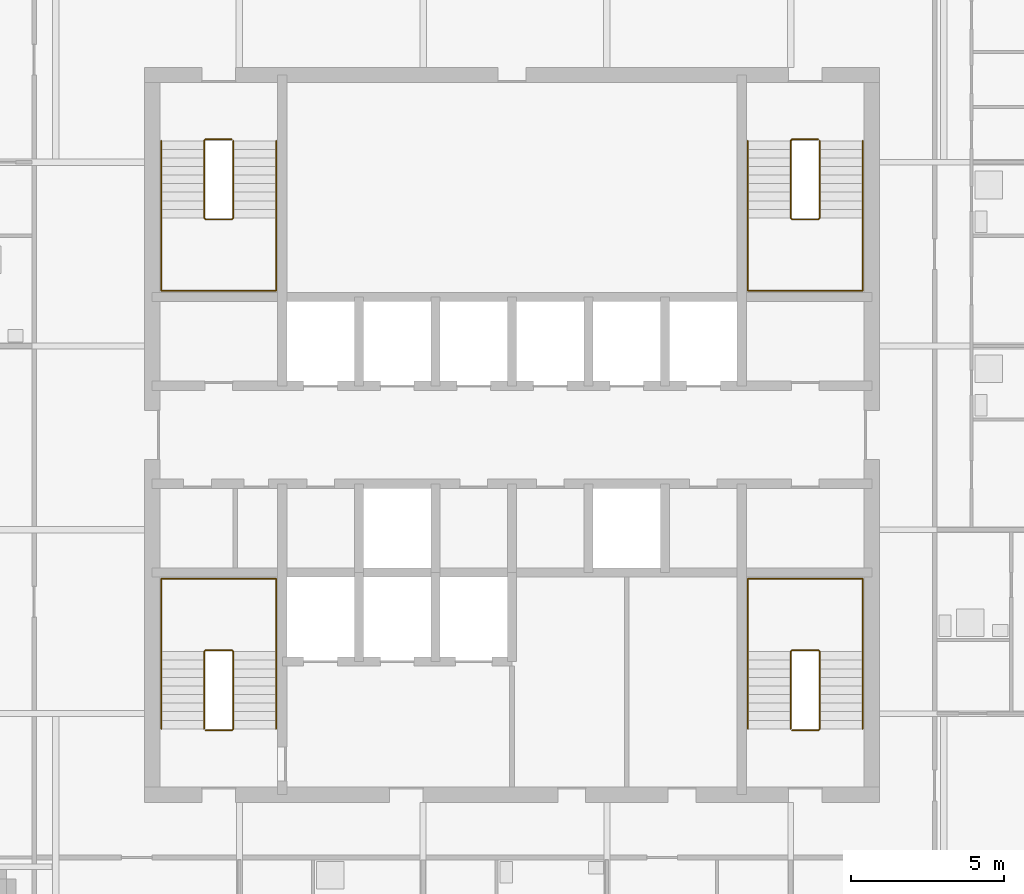
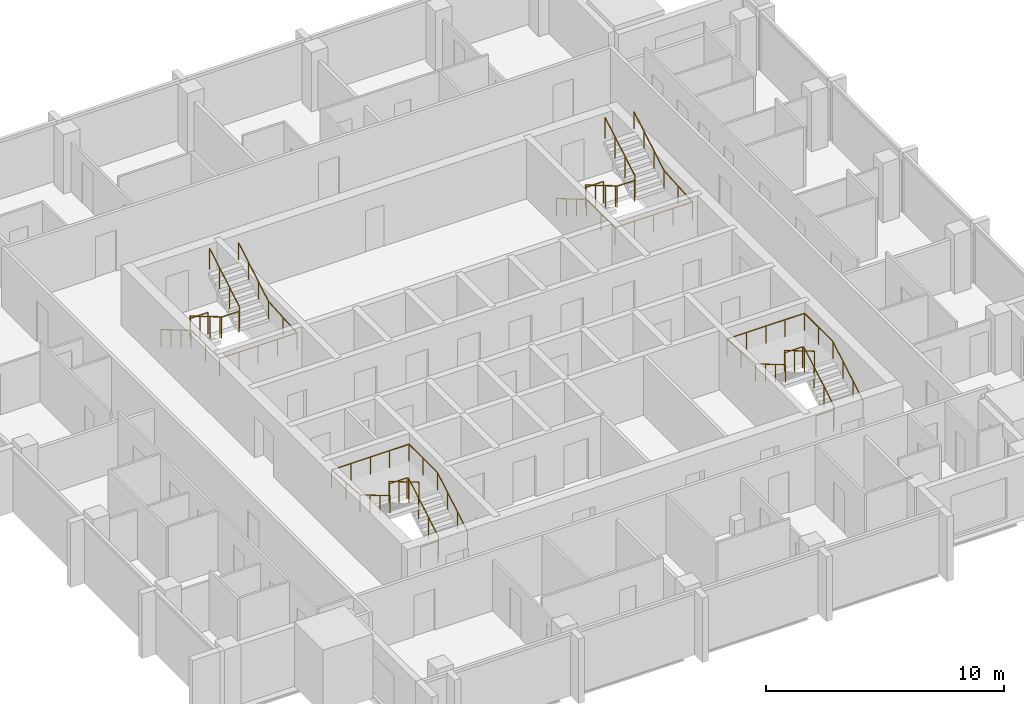
# One storey, part 8 of 9: 8 railings.
"""IFC4 building model written with IfcOpenShell, lengths in metres."""

from ifc_helpers import new_model, si_unit, direction, frame, origin, origin_2d, place, context, subcontext, project, spatial, circle, extrude, material, type_object, element, save


model = new_model("IFC4")

# Units and contexts
model_context = context("Model", 3, precision=1e-05, world=origin(), true_north=direction((0.0, 1.0)))
body_context = subcontext(model_context, "Body", "Model", "MODEL_VIEW")
ifc_project = project(units=[si_unit("LENGTHUNIT", "METRE"), si_unit("AREAUNIT", "SQUARE_METRE"), si_unit("VOLUMEUNIT", "CUBIC_METRE"), si_unit("PLANEANGLEUNIT", "RADIAN"), si_unit("MASSUNIT", "GRAM", prefix="KILO")], contexts=[model_context])

# Site, building, storey
site_placement = place(None, origin())
site = spatial("IfcSite", under=ifc_project, at=site_placement, CompositionType="ELEMENT")
building_placement = place(site_placement, origin())
building = spatial("IfcBuilding", under=site, at=building_placement, Name="Amberfall Residences", CompositionType="ELEMENT")
storey_placement = place(building_placement, frame((0.0, 0.0, 265.300048828125)))
storey = spatial("IfcBuildingStorey", under=building, at=storey_placement, Name="L71", CompositionType="ELEMENT", Elevation=265.300048828125)

# Railings
ifc_material = material(Name="Stainless steel 316", Category="steel")
railing_type_1 = type_object("IfcRailingType", Name="Stair guard 1100", PredefinedType="GUARDRAIL", material=ifc_material)
railing_1_placement = place(storey_placement, frame((64.5, 35.85009765625, 0.0)))
element("IfcRailing", 1, at=railing_1_placement, inside=storey, type_object=railing_type_1, Name="L71 stair 1 guard", PredefinedType="GUARDRAIL", context=body_context, shape_type="SweptSolid", body=[
    extrude(circle(Radius=0.02392578125, at=origin_2d()), frame((0.0, 0.0, 1.076171875), z_axis=(1.0, 0.0, 0.0), x_axis=(0.0, 1.0, 0.0)), (0.0, 0.0, 1.0), 0.85009765625),
    extrude(circle(Radius=0.02392578125, at=origin_2d()), frame((0.85009765625, 0.0, 1.076171875), z_axis=(0.27755538755, 0.27755538755, 0.919742362667), x_axis=(-0.707106781187, 0.707106781187, 0.0)), (0.0, 0.0, 1.0), 0.179443359375),
    extrude(circle(Radius=0.02392578125, at=origin_2d()), frame((0.89990234375, 0.0498046875, 1.2412109375), z_axis=(0.0, 0.861560626758, 0.507654692109), x_axis=(-1.0, 0.0, 0.0)), (0.0, 0.0, 1.0), 2.925048828125),
    extrude(circle(Radius=0.02392578125, at=origin_2d()), frame((0.89990234375, 2.56982421875, 2.72607421875), z_axis=(-0.705375805398, 0.708833529934, 0.0), x_axis=(-0.708833529934, -0.705375805398, 0.0)), (0.0, 0.0, 1.0), 0.070556640625),
    extrude(circle(Radius=0.02392578125, at=origin_2d()), frame((0.85009765625, 2.619873046875, 2.72607421875), z_axis=(-1.0, 0.0, 0.0), x_axis=(0.0, -1.0, 0.0)), (0.0, 0.0, 1.0), 0.85009765625),
    extrude(circle(Radius=0.02392578125, at=origin_2d()), frame((0.0, 2.619873046875, 2.72607421875), z_axis=(-0.278705021027, -0.278705021027, 0.919046801044), x_axis=(0.707106781187, -0.707106781187, 0.0)), (0.0, 0.0, 1.0), 0.1796875),
    extrude(circle(Radius=0.02392578125, at=origin_2d()), frame((-0.050048828125, 2.56982421875, 2.89111328125), z_axis=(0.0, -0.86152411907, 0.507716645641), x_axis=(1.0, 0.0, 0.0)), (0.0, 0.0, 1.0), 2.925048828125),
    extrude(circle(Radius=0.02099609375, at=origin_2d()), origin(), (0.0, 0.0, 1.0), 1.052001953125),
    extrude(circle(Radius=0.02099609375, at=origin_2d()), frame((0.85009765625, 0.0, 0.0)), (0.0, 0.0, 1.0), 1.052001953125),
    extrude(circle(Radius=0.02099609375, at=origin_2d()), frame((0.89990234375, 0.0498046875, 0.1650390625)), (0.0, 0.0, 1.0), 1.052001953125),
    extrude(circle(Radius=0.02099609375, at=origin_2d()), frame((0.89990234375, 0.889892578125, 0.659912109375)), (0.0, 0.0, 1.0), 1.052001953125),
    extrude(circle(Radius=0.02099609375, at=origin_2d()), frame((0.89990234375, 1.729736328125, 1.155029296875)), (0.0, 0.0, 1.0), 1.052001953125),
    extrude(circle(Radius=0.02099609375, at=origin_2d()), frame((0.89990234375, 2.56982421875, 1.64990234375)), (0.0, 0.0, 1.0), 1.052001953125),
    extrude(circle(Radius=0.02099609375, at=origin_2d()), frame((0.85009765625, 2.619873046875, 1.64990234375)), (0.0, 0.0, 1.0), 1.052001953125),
    extrude(circle(Radius=0.02099609375, at=origin_2d()), frame((0.0, 2.619873046875, 1.64990234375)), (0.0, 0.0, 1.0), 1.052001953125),
    extrude(circle(Radius=0.02099609375, at=origin_2d()), frame((-0.050048828125, 2.56982421875, 1.81494140625)), (0.0, 0.0, 1.0), 1.052001953125),
    extrude(circle(Radius=0.02099609375, at=origin_2d()), frame((-0.050048828125, 1.729736328125, 2.31005859375)), (0.0, 0.0, 1.0), 1.052001953125),
    extrude(circle(Radius=0.02099609375, at=origin_2d()), frame((-0.050048828125, 0.889892578125, 2.804931640625)), (0.0, 0.0, 1.0), 1.052001953125),
    extrude(circle(Radius=0.02099609375, at=origin_2d()), frame((-0.050048828125, 0.0498046875, 3.300048828125)), (0.0, 0.0, 1.0), 1.052001953125),
])
railing_2_placement = place(storey_placement, frame((83.64990234375, 35.85009765625, 0.0)))
element("IfcRailing", 2, at=railing_2_placement, inside=storey, type_object=railing_type_1, Name="L71 stair 2 guard", PredefinedType="GUARDRAIL", context=body_context, shape_type="SweptSolid", body=[
    extrude(circle(Radius=0.02392578125, at=origin_2d()), frame((0.0, 0.0, 1.076171875), z_axis=(1.0, 0.0, 0.0), x_axis=(0.0, 1.0, 0.0)), (0.0, 0.0, 1.0), 0.85009765625),
    extrude(circle(Radius=0.02392578125, at=origin_2d()), frame((0.85009765625, 0.0, 1.076171875), z_axis=(0.278810427259, 0.277450376394, 0.919394384522), x_axis=(-0.705375805398, 0.708833529934, 0.0)), (0.0, 0.0, 1.0), 0.179443359375),
    extrude(circle(Radius=0.02392578125, at=origin_2d()), frame((0.900146484375, 0.0498046875, 1.2412109375), z_axis=(0.0, 0.861560626758, 0.507654692109), x_axis=(-1.0, 0.0, 0.0)), (0.0, 0.0, 1.0), 2.925048828125),
    extrude(circle(Radius=0.02392578125, at=origin_2d()), frame((0.900146484375, 2.56982421875, 2.72607421875), z_axis=(-0.707106781187, 0.707106781187, 0.0), x_axis=(-0.707106781187, -0.707106781187, 0.0)), (0.0, 0.0, 1.0), 0.07080078125),
    extrude(circle(Radius=0.02392578125, at=origin_2d()), frame((0.85009765625, 2.619873046875, 2.72607421875), z_axis=(-1.0, 0.0, 0.0), x_axis=(0.0, -1.0, 0.0)), (0.0, 0.0, 1.0), 0.85009765625),
    extrude(circle(Radius=0.02392578125, at=origin_2d()), frame((0.0, 2.619873046875, 2.72607421875), z_axis=(-0.277450376394, -0.278810427259, 0.919394384522), x_axis=(0.708833529934, -0.705375805398, 0.0)), (0.0, 0.0, 1.0), 0.179443359375),
    extrude(circle(Radius=0.02392578125, at=origin_2d()), frame((-0.0498046875, 2.56982421875, 2.89111328125), z_axis=(0.0, -0.86152411907, 0.507716645641), x_axis=(1.0, 0.0, 0.0)), (0.0, 0.0, 1.0), 2.925048828125),
    extrude(circle(Radius=0.02099609375, at=origin_2d()), origin(), (0.0, 0.0, 1.0), 1.052001953125),
    extrude(circle(Radius=0.02099609375, at=origin_2d()), frame((0.85009765625, 0.0, 0.0)), (0.0, 0.0, 1.0), 1.052001953125),
    extrude(circle(Radius=0.02099609375, at=origin_2d()), frame((0.900146484375, 0.0498046875, 0.1650390625)), (0.0, 0.0, 1.0), 1.052001953125),
    extrude(circle(Radius=0.02099609375, at=origin_2d()), frame((0.900146484375, 0.889892578125, 0.659912109375)), (0.0, 0.0, 1.0), 1.052001953125),
    extrude(circle(Radius=0.02099609375, at=origin_2d()), frame((0.900146484375, 1.729736328125, 1.155029296875)), (0.0, 0.0, 1.0), 1.052001953125),
    extrude(circle(Radius=0.02099609375, at=origin_2d()), frame((0.900146484375, 2.56982421875, 1.64990234375)), (0.0, 0.0, 1.0), 1.052001953125),
    extrude(circle(Radius=0.02099609375, at=origin_2d()), frame((0.85009765625, 2.619873046875, 1.64990234375)), (0.0, 0.0, 1.0), 1.052001953125),
    extrude(circle(Radius=0.02099609375, at=origin_2d()), frame((0.0, 2.619873046875, 1.64990234375)), (0.0, 0.0, 1.0), 1.052001953125),
    extrude(circle(Radius=0.02099609375, at=origin_2d()), frame((-0.0498046875, 2.56982421875, 1.81494140625)), (0.0, 0.0, 1.0), 1.052001953125),
    extrude(circle(Radius=0.02099609375, at=origin_2d()), frame((-0.0498046875, 1.729736328125, 2.31005859375)), (0.0, 0.0, 1.0), 1.052001953125),
    extrude(circle(Radius=0.02099609375, at=origin_2d()), frame((-0.0498046875, 0.889892578125, 2.804931640625)), (0.0, 0.0, 1.0), 1.052001953125),
    extrude(circle(Radius=0.02099609375, at=origin_2d()), frame((-0.0498046875, 0.0498046875, 3.300048828125)), (0.0, 0.0, 1.0), 1.052001953125),
])
railing_3_placement = place(storey_placement, frame((84.5, 55.14990234375, 0.0)))
element("IfcRailing", 3, at=railing_3_placement, inside=storey, type_object=railing_type_1, Name="L71 stair 3 guard", PredefinedType="GUARDRAIL", context=body_context, shape_type="SweptSolid", body=[
    extrude(circle(Radius=0.02392578125, at=origin_2d()), frame((0.0, 0.0, 1.076171875), z_axis=(-1.0, 0.0, 0.0), x_axis=(0.0, -1.0, 0.0)), (0.0, 0.0, 1.0), 0.85009765625),
    extrude(circle(Radius=0.02392578125, at=origin_2d()), frame((-0.85009765625, 0.0, 1.076171875), z_axis=(-0.27755538755, -0.27755538755, 0.919742362667), x_axis=(0.707106781187, -0.707106781187, 0.0)), (0.0, 0.0, 1.0), 0.179443359375),
    extrude(circle(Radius=0.02392578125, at=origin_2d()), frame((-0.89990234375, -0.0498046875, 1.2412109375), z_axis=(0.0, -0.861560626758, 0.507654692109), x_axis=(1.0, 0.0, 0.0)), (0.0, 0.0, 1.0), 2.925048828125),
    extrude(circle(Radius=0.02392578125, at=origin_2d()), frame((-0.89990234375, -2.56982421875, 2.72607421875), z_axis=(0.705375805398, -0.708833529934, 0.0), x_axis=(0.708833529934, 0.705375805398, 0.0)), (0.0, 0.0, 1.0), 0.070556640625),
    extrude(circle(Radius=0.02392578125, at=origin_2d()), frame((-0.85009765625, -2.619873046875, 2.72607421875), z_axis=(1.0, 0.0, 0.0), x_axis=(0.0, 1.0, 0.0)), (0.0, 0.0, 1.0), 0.85009765625),
    extrude(circle(Radius=0.02392578125, at=origin_2d()), frame((0.0, -2.619873046875, 2.72607421875), z_axis=(0.278705021027, 0.278705021027, 0.919046801044), x_axis=(-0.707106781187, 0.707106781187, 0.0)), (0.0, 0.0, 1.0), 0.1796875),
    extrude(circle(Radius=0.02392578125, at=origin_2d()), frame((0.050048828125, -2.56982421875, 2.89111328125), z_axis=(0.0, 0.86152411907, 0.507716645641), x_axis=(-1.0, 0.0, 0.0)), (0.0, 0.0, 1.0), 2.925048828125),
    extrude(circle(Radius=0.02099609375, at=origin_2d()), origin(), (0.0, 0.0, 1.0), 1.052001953125),
    extrude(circle(Radius=0.02099609375, at=origin_2d()), frame((-0.85009765625, 0.0, 0.0)), (0.0, 0.0, 1.0), 1.052001953125),
    extrude(circle(Radius=0.02099609375, at=origin_2d()), frame((-0.89990234375, -0.0498046875, 0.1650390625)), (0.0, 0.0, 1.0), 1.052001953125),
    extrude(circle(Radius=0.02099609375, at=origin_2d()), frame((-0.89990234375, -0.889892578125, 0.659912109375)), (0.0, 0.0, 1.0), 1.052001953125),
    extrude(circle(Radius=0.02099609375, at=origin_2d()), frame((-0.89990234375, -1.729736328125, 1.155029296875)), (0.0, 0.0, 1.0), 1.052001953125),
    extrude(circle(Radius=0.02099609375, at=origin_2d()), frame((-0.89990234375, -2.56982421875, 1.64990234375)), (0.0, 0.0, 1.0), 1.052001953125),
    extrude(circle(Radius=0.02099609375, at=origin_2d()), frame((-0.85009765625, -2.619873046875, 1.64990234375)), (0.0, 0.0, 1.0), 1.052001953125),
    extrude(circle(Radius=0.02099609375, at=origin_2d()), frame((0.0, -2.619873046875, 1.64990234375)), (0.0, 0.0, 1.0), 1.052001953125),
    extrude(circle(Radius=0.02099609375, at=origin_2d()), frame((0.050048828125, -2.56982421875, 1.81494140625)), (0.0, 0.0, 1.0), 1.052001953125),
    extrude(circle(Radius=0.02099609375, at=origin_2d()), frame((0.050048828125, -1.729736328125, 2.31005859375)), (0.0, 0.0, 1.0), 1.052001953125),
    extrude(circle(Radius=0.02099609375, at=origin_2d()), frame((0.050048828125, -0.889892578125, 2.804931640625)), (0.0, 0.0, 1.0), 1.052001953125),
    extrude(circle(Radius=0.02099609375, at=origin_2d()), frame((0.050048828125, -0.0498046875, 3.300048828125)), (0.0, 0.0, 1.0), 1.052001953125),
])
railing_4_placement = place(storey_placement, frame((65.35009765625, 55.14990234375, 0.0)))
element("IfcRailing", 4, at=railing_4_placement, inside=storey, type_object=railing_type_1, Name="L71 stair 4 guard", PredefinedType="GUARDRAIL", context=body_context, shape_type="SweptSolid", body=[
    extrude(circle(Radius=0.02392578125, at=origin_2d()), frame((0.0, 0.0, 1.076171875), z_axis=(-1.0, 0.0, 0.0), x_axis=(0.0, -1.0, 0.0)), (0.0, 0.0, 1.0), 0.85009765625),
    extrude(circle(Radius=0.02392578125, at=origin_2d()), frame((-0.85009765625, 0.0, 1.076171875), z_axis=(-0.278810427259, -0.277450376394, 0.919394384522), x_axis=(0.705375805398, -0.708833529934, 0.0)), (0.0, 0.0, 1.0), 0.179443359375),
    extrude(circle(Radius=0.02392578125, at=origin_2d()), frame((-0.900146484375, -0.0498046875, 1.2412109375), z_axis=(0.0, -0.861560626758, 0.507654692109), x_axis=(1.0, 0.0, 0.0)), (0.0, 0.0, 1.0), 2.925048828125),
    extrude(circle(Radius=0.02392578125, at=origin_2d()), frame((-0.900146484375, -2.56982421875, 2.72607421875), z_axis=(0.707106781187, -0.707106781187, 0.0), x_axis=(0.707106781187, 0.707106781187, 0.0)), (0.0, 0.0, 1.0), 0.07080078125),
    extrude(circle(Radius=0.02392578125, at=origin_2d()), frame((-0.85009765625, -2.619873046875, 2.72607421875), z_axis=(1.0, 0.0, 0.0), x_axis=(0.0, 1.0, 0.0)), (0.0, 0.0, 1.0), 0.85009765625),
    extrude(circle(Radius=0.02392578125, at=origin_2d()), frame((0.0, -2.619873046875, 2.72607421875), z_axis=(0.277450376394, 0.278810427259, 0.919394384522), x_axis=(-0.708833529934, 0.705375805398, 0.0)), (0.0, 0.0, 1.0), 0.179443359375),
    extrude(circle(Radius=0.02392578125, at=origin_2d()), frame((0.0498046875, -2.56982421875, 2.89111328125), z_axis=(0.0, 0.86152411907, 0.507716645641), x_axis=(-1.0, 0.0, 0.0)), (0.0, 0.0, 1.0), 2.925048828125),
    extrude(circle(Radius=0.02099609375, at=origin_2d()), origin(), (0.0, 0.0, 1.0), 1.052001953125),
    extrude(circle(Radius=0.02099609375, at=origin_2d()), frame((-0.85009765625, 0.0, 0.0)), (0.0, 0.0, 1.0), 1.052001953125),
    extrude(circle(Radius=0.02099609375, at=origin_2d()), frame((-0.900146484375, -0.0498046875, 0.1650390625)), (0.0, 0.0, 1.0), 1.052001953125),
    extrude(circle(Radius=0.02099609375, at=origin_2d()), frame((-0.900146484375, -0.889892578125, 0.659912109375)), (0.0, 0.0, 1.0), 1.052001953125),
    extrude(circle(Radius=0.02099609375, at=origin_2d()), frame((-0.900146484375, -1.729736328125, 1.155029296875)), (0.0, 0.0, 1.0), 1.052001953125),
    extrude(circle(Radius=0.02099609375, at=origin_2d()), frame((-0.900146484375, -2.56982421875, 1.64990234375)), (0.0, 0.0, 1.0), 1.052001953125),
    extrude(circle(Radius=0.02099609375, at=origin_2d()), frame((-0.85009765625, -2.619873046875, 1.64990234375)), (0.0, 0.0, 1.0), 1.052001953125),
    extrude(circle(Radius=0.02099609375, at=origin_2d()), frame((0.0, -2.619873046875, 1.64990234375)), (0.0, 0.0, 1.0), 1.052001953125),
    extrude(circle(Radius=0.02099609375, at=origin_2d()), frame((0.0498046875, -2.56982421875, 1.81494140625)), (0.0, 0.0, 1.0), 1.052001953125),
    extrude(circle(Radius=0.02099609375, at=origin_2d()), frame((0.0498046875, -1.729736328125, 2.31005859375)), (0.0, 0.0, 1.0), 1.052001953125),
    extrude(circle(Radius=0.02099609375, at=origin_2d()), frame((0.0498046875, -0.889892578125, 2.804931640625)), (0.0, 0.0, 1.0), 1.052001953125),
    extrude(circle(Radius=0.02099609375, at=origin_2d()), frame((0.0498046875, -0.0498046875, 3.300048828125)), (0.0, 0.0, 1.0), 1.052001953125),
])
railing_type_2 = type_object("IfcRailingType", Name="Stair handrail 900", PredefinedType="HANDRAIL", material=ifc_material)
railing_5_placement = place(storey_placement, frame((66.800048828125, 35.89990234375, 0.1650390625)))
element("IfcRailing", 5, at=railing_5_placement, inside=storey, type_object=railing_type_2, Name="L71 stair 1 handrail", PredefinedType="HANDRAIL", context=body_context, shape_type="SweptSolid", body=[
    extrude(circle(Radius=0.02392578125, at=origin_2d()), frame((0.0, 0.0, 0.8759765625), z_axis=(0.0, 0.861560626758, 0.507654692109), x_axis=(-1.0, 0.0, 0.0)), (0.0, 0.0, 1.0), 2.925048828125),
    extrude(circle(Radius=0.02392578125, at=origin_2d()), frame((0.0, 2.52001953125, 2.36083984375), z_axis=(0.0, 1.0, 0.0), x_axis=(-1.0, 0.0, 0.0)), (0.0, 0.0, 1.0), 2.380126953125),
    extrude(circle(Radius=0.02392578125, at=origin_2d()), frame((0.0, 4.900146484375, 2.36083984375), z_axis=(-1.0, 0.0, 0.0), x_axis=(0.0, -1.0, 0.0)), (0.0, 0.0, 1.0), 3.75),
    extrude(circle(Radius=0.02392578125, at=origin_2d()), frame((-3.75, 4.900146484375, 2.36083984375), z_axis=(0.0, -0.997604585917, 0.069174346095), x_axis=(1.0, 0.0, 0.0)), (0.0, 0.0, 1.0), 2.3857421875),
    extrude(circle(Radius=0.02392578125, at=origin_2d()), frame((-3.75, 2.52001953125, 2.52587890625), z_axis=(0.0, -0.86152411907, 0.507716645641), x_axis=(1.0, 0.0, 0.0)), (0.0, 0.0, 1.0), 2.925048828125),
    extrude(circle(Radius=0.02099609375, at=origin_2d()), origin(), (0.0, 0.0, 1.0), 0.851806640625),
    extrude(circle(Radius=0.02099609375, at=origin_2d()), frame((0.0, 0.840087890625, 0.494873046875)), (0.0, 0.0, 1.0), 0.851806640625),
    extrude(circle(Radius=0.02099609375, at=origin_2d()), frame((0.0, 1.679931640625, 0.989990234375)), (0.0, 0.0, 1.0), 0.851806640625),
    extrude(circle(Radius=0.02099609375, at=origin_2d()), frame((0.0, 2.52001953125, 1.48486328125)), (0.0, 0.0, 1.0), 0.851806640625),
    extrude(circle(Radius=0.02099609375, at=origin_2d()), frame((0.0, 3.7099609375, 1.48486328125)), (0.0, 0.0, 1.0), 0.851806640625),
    extrude(circle(Radius=0.02099609375, at=origin_2d()), frame((0.0, 4.900146484375, 1.48486328125)), (0.0, 0.0, 1.0), 0.851806640625),
    extrude(circle(Radius=0.02099609375, at=origin_2d()), frame((-0.9375, 4.900146484375, 1.48486328125)), (0.0, 0.0, 1.0), 0.851806640625),
    extrude(circle(Radius=0.02099609375, at=origin_2d()), frame((-1.875, 4.900146484375, 1.48486328125)), (0.0, 0.0, 1.0), 0.851806640625),
    extrude(circle(Radius=0.02099609375, at=origin_2d()), frame((-2.8125, 4.900146484375, 1.48486328125)), (0.0, 0.0, 1.0), 0.851806640625),
    extrude(circle(Radius=0.02099609375, at=origin_2d()), frame((-3.75, 4.900146484375, 1.48486328125)), (0.0, 0.0, 1.0), 0.851806640625),
    extrude(circle(Radius=0.02099609375, at=origin_2d()), frame((-3.75, 3.7099609375, 1.5673828125)), (0.0, 0.0, 1.0), 0.851806640625),
    extrude(circle(Radius=0.02099609375, at=origin_2d()), frame((-3.75, 2.52001953125, 1.64990234375)), (0.0, 0.0, 1.0), 0.851806640625),
    extrude(circle(Radius=0.02099609375, at=origin_2d()), frame((-3.75, 1.679931640625, 2.14501953125)), (0.0, 0.0, 1.0), 0.851806640625),
    extrude(circle(Radius=0.02099609375, at=origin_2d()), frame((-3.75, 0.840087890625, 2.639892578125)), (0.0, 0.0, 1.0), 0.851806640625),
    extrude(circle(Radius=0.02099609375, at=origin_2d()), frame((-3.75, 0.0, 3.135009765625)), (0.0, 0.0, 1.0), 0.851806640625),
])
railing_6_placement = place(storey_placement, frame((85.949951171875, 35.89990234375, 0.1650390625)))
element("IfcRailing", 6, at=railing_6_placement, inside=storey, type_object=railing_type_2, Name="L71 stair 2 handrail", PredefinedType="HANDRAIL", context=body_context, shape_type="SweptSolid", body=[
    extrude(circle(Radius=0.02392578125, at=origin_2d()), frame((0.0, 0.0, 0.8759765625), z_axis=(0.0, 0.861560626758, 0.507654692109), x_axis=(-1.0, 0.0, 0.0)), (0.0, 0.0, 1.0), 2.925048828125),
    extrude(circle(Radius=0.02392578125, at=origin_2d()), frame((0.0, 2.52001953125, 2.36083984375), z_axis=(0.0, 1.0, 0.0), x_axis=(-1.0, 0.0, 0.0)), (0.0, 0.0, 1.0), 2.380126953125),
    extrude(circle(Radius=0.02392578125, at=origin_2d()), frame((0.0, 4.900146484375, 2.36083984375), z_axis=(-1.0, 0.0, 0.0), x_axis=(0.0, -1.0, 0.0)), (0.0, 0.0, 1.0), 3.75),
    extrude(circle(Radius=0.02392578125, at=origin_2d()), frame((-3.75, 4.900146484375, 2.36083984375), z_axis=(0.0, -0.997604585917, 0.069174346095), x_axis=(1.0, 0.0, 0.0)), (0.0, 0.0, 1.0), 2.3857421875),
    extrude(circle(Radius=0.02392578125, at=origin_2d()), frame((-3.75, 2.52001953125, 2.52587890625), z_axis=(0.0, -0.86152411907, 0.507716645641), x_axis=(1.0, 0.0, 0.0)), (0.0, 0.0, 1.0), 2.925048828125),
    extrude(circle(Radius=0.02099609375, at=origin_2d()), origin(), (0.0, 0.0, 1.0), 0.851806640625),
    extrude(circle(Radius=0.02099609375, at=origin_2d()), frame((0.0, 0.840087890625, 0.494873046875)), (0.0, 0.0, 1.0), 0.851806640625),
    extrude(circle(Radius=0.02099609375, at=origin_2d()), frame((0.0, 1.679931640625, 0.989990234375)), (0.0, 0.0, 1.0), 0.851806640625),
    extrude(circle(Radius=0.02099609375, at=origin_2d()), frame((0.0, 2.52001953125, 1.48486328125)), (0.0, 0.0, 1.0), 0.851806640625),
    extrude(circle(Radius=0.02099609375, at=origin_2d()), frame((0.0, 3.7099609375, 1.48486328125)), (0.0, 0.0, 1.0), 0.851806640625),
    extrude(circle(Radius=0.02099609375, at=origin_2d()), frame((0.0, 4.900146484375, 1.48486328125)), (0.0, 0.0, 1.0), 0.851806640625),
    extrude(circle(Radius=0.02099609375, at=origin_2d()), frame((-0.9375, 4.900146484375, 1.48486328125)), (0.0, 0.0, 1.0), 0.851806640625),
    extrude(circle(Radius=0.02099609375, at=origin_2d()), frame((-1.875, 4.900146484375, 1.48486328125)), (0.0, 0.0, 1.0), 0.851806640625),
    extrude(circle(Radius=0.02099609375, at=origin_2d()), frame((-2.8125, 4.900146484375, 1.48486328125)), (0.0, 0.0, 1.0), 0.851806640625),
    extrude(circle(Radius=0.02099609375, at=origin_2d()), frame((-3.75, 4.900146484375, 1.48486328125)), (0.0, 0.0, 1.0), 0.851806640625),
    extrude(circle(Radius=0.02099609375, at=origin_2d()), frame((-3.75, 3.7099609375, 1.5673828125)), (0.0, 0.0, 1.0), 0.851806640625),
    extrude(circle(Radius=0.02099609375, at=origin_2d()), frame((-3.75, 2.52001953125, 1.64990234375)), (0.0, 0.0, 1.0), 0.851806640625),
    extrude(circle(Radius=0.02099609375, at=origin_2d()), frame((-3.75, 1.679931640625, 2.14501953125)), (0.0, 0.0, 1.0), 0.851806640625),
    extrude(circle(Radius=0.02099609375, at=origin_2d()), frame((-3.75, 0.840087890625, 2.639892578125)), (0.0, 0.0, 1.0), 0.851806640625),
    extrude(circle(Radius=0.02099609375, at=origin_2d()), frame((-3.75, 0.0, 3.135009765625)), (0.0, 0.0, 1.0), 0.851806640625),
])
railing_7_placement = place(storey_placement, frame((82.199951171875, 55.10009765625, 0.1650390625)))
element("IfcRailing", 7, at=railing_7_placement, inside=storey, type_object=railing_type_2, Name="L71 stair 3 handrail", PredefinedType="HANDRAIL", context=body_context, shape_type="SweptSolid", body=[
    extrude(circle(Radius=0.02392578125, at=origin_2d()), frame((0.0, 0.0, 0.8759765625), z_axis=(0.0, -0.861560626758, 0.507654692109), x_axis=(1.0, 0.0, 0.0)), (0.0, 0.0, 1.0), 2.925048828125),
    extrude(circle(Radius=0.02392578125, at=origin_2d()), frame((0.0, -2.52001953125, 2.36083984375), z_axis=(0.0, -1.0, 0.0), x_axis=(1.0, 0.0, 0.0)), (0.0, 0.0, 1.0), 2.380126953125),
    extrude(circle(Radius=0.02392578125, at=origin_2d()), frame((0.0, -4.900146484375, 2.36083984375), z_axis=(1.0, 0.0, 0.0), x_axis=(0.0, 1.0, 0.0)), (0.0, 0.0, 1.0), 3.75),
    extrude(circle(Radius=0.02392578125, at=origin_2d()), frame((3.75, -4.900146484375, 2.36083984375), z_axis=(0.0, 0.997604585917, 0.069174346095), x_axis=(-1.0, 0.0, 0.0)), (0.0, 0.0, 1.0), 2.3857421875),
    extrude(circle(Radius=0.02392578125, at=origin_2d()), frame((3.75, -2.52001953125, 2.52587890625), z_axis=(0.0, 0.86152411907, 0.507716645641), x_axis=(-1.0, 0.0, 0.0)), (0.0, 0.0, 1.0), 2.925048828125),
    extrude(circle(Radius=0.02099609375, at=origin_2d()), origin(), (0.0, 0.0, 1.0), 0.851806640625),
    extrude(circle(Radius=0.02099609375, at=origin_2d()), frame((0.0, -0.840087890625, 0.494873046875)), (0.0, 0.0, 1.0), 0.851806640625),
    extrude(circle(Radius=0.02099609375, at=origin_2d()), frame((0.0, -1.679931640625, 0.989990234375)), (0.0, 0.0, 1.0), 0.851806640625),
    extrude(circle(Radius=0.02099609375, at=origin_2d()), frame((0.0, -2.52001953125, 1.48486328125)), (0.0, 0.0, 1.0), 0.851806640625),
    extrude(circle(Radius=0.02099609375, at=origin_2d()), frame((0.0, -3.7099609375, 1.48486328125)), (0.0, 0.0, 1.0), 0.851806640625),
    extrude(circle(Radius=0.02099609375, at=origin_2d()), frame((0.0, -4.900146484375, 1.48486328125)), (0.0, 0.0, 1.0), 0.851806640625),
    extrude(circle(Radius=0.02099609375, at=origin_2d()), frame((0.9375, -4.900146484375, 1.48486328125)), (0.0, 0.0, 1.0), 0.851806640625),
    extrude(circle(Radius=0.02099609375, at=origin_2d()), frame((1.875, -4.900146484375, 1.48486328125)), (0.0, 0.0, 1.0), 0.851806640625),
    extrude(circle(Radius=0.02099609375, at=origin_2d()), frame((2.8125, -4.900146484375, 1.48486328125)), (0.0, 0.0, 1.0), 0.851806640625),
    extrude(circle(Radius=0.02099609375, at=origin_2d()), frame((3.75, -4.900146484375, 1.48486328125)), (0.0, 0.0, 1.0), 0.851806640625),
    extrude(circle(Radius=0.02099609375, at=origin_2d()), frame((3.75, -3.7099609375, 1.5673828125)), (0.0, 0.0, 1.0), 0.851806640625),
    extrude(circle(Radius=0.02099609375, at=origin_2d()), frame((3.75, -2.52001953125, 1.64990234375)), (0.0, 0.0, 1.0), 0.851806640625),
    extrude(circle(Radius=0.02099609375, at=origin_2d()), frame((3.75, -1.679931640625, 2.14501953125)), (0.0, 0.0, 1.0), 0.851806640625),
    extrude(circle(Radius=0.02099609375, at=origin_2d()), frame((3.75, -0.840087890625, 2.639892578125)), (0.0, 0.0, 1.0), 0.851806640625),
    extrude(circle(Radius=0.02099609375, at=origin_2d()), frame((3.75, 0.0, 3.135009765625)), (0.0, 0.0, 1.0), 0.851806640625),
])
railing_8_placement = place(storey_placement, frame((63.050048828125, 55.10009765625, 0.1650390625)))
element("IfcRailing", 8, at=railing_8_placement, inside=storey, type_object=railing_type_2, Name="L71 stair 4 handrail", PredefinedType="HANDRAIL", context=body_context, shape_type="SweptSolid", body=[
    extrude(circle(Radius=0.02392578125, at=origin_2d()), frame((0.0, 0.0, 0.8759765625), z_axis=(0.0, -0.861560626758, 0.507654692109), x_axis=(1.0, 0.0, 0.0)), (0.0, 0.0, 1.0), 2.925048828125),
    extrude(circle(Radius=0.02392578125, at=origin_2d()), frame((0.0, -2.52001953125, 2.36083984375), z_axis=(0.0, -1.0, 0.0), x_axis=(1.0, 0.0, 0.0)), (0.0, 0.0, 1.0), 2.380126953125),
    extrude(circle(Radius=0.02392578125, at=origin_2d()), frame((0.0, -4.900146484375, 2.36083984375), z_axis=(1.0, 0.0, 0.0), x_axis=(0.0, 1.0, 0.0)), (0.0, 0.0, 1.0), 3.75),
    extrude(circle(Radius=0.02392578125, at=origin_2d()), frame((3.75, -4.900146484375, 2.36083984375), z_axis=(0.0, 0.997604585917, 0.069174346095), x_axis=(-1.0, 0.0, 0.0)), (0.0, 0.0, 1.0), 2.3857421875),
    extrude(circle(Radius=0.02392578125, at=origin_2d()), frame((3.75, -2.52001953125, 2.52587890625), z_axis=(0.0, 0.86152411907, 0.507716645641), x_axis=(-1.0, 0.0, 0.0)), (0.0, 0.0, 1.0), 2.925048828125),
    extrude(circle(Radius=0.02099609375, at=origin_2d()), origin(), (0.0, 0.0, 1.0), 0.851806640625),
    extrude(circle(Radius=0.02099609375, at=origin_2d()), frame((0.0, -0.840087890625, 0.494873046875)), (0.0, 0.0, 1.0), 0.851806640625),
    extrude(circle(Radius=0.02099609375, at=origin_2d()), frame((0.0, -1.679931640625, 0.989990234375)), (0.0, 0.0, 1.0), 0.851806640625),
    extrude(circle(Radius=0.02099609375, at=origin_2d()), frame((0.0, -2.52001953125, 1.48486328125)), (0.0, 0.0, 1.0), 0.851806640625),
    extrude(circle(Radius=0.02099609375, at=origin_2d()), frame((0.0, -3.7099609375, 1.48486328125)), (0.0, 0.0, 1.0), 0.851806640625),
    extrude(circle(Radius=0.02099609375, at=origin_2d()), frame((0.0, -4.900146484375, 1.48486328125)), (0.0, 0.0, 1.0), 0.851806640625),
    extrude(circle(Radius=0.02099609375, at=origin_2d()), frame((0.9375, -4.900146484375, 1.48486328125)), (0.0, 0.0, 1.0), 0.851806640625),
    extrude(circle(Radius=0.02099609375, at=origin_2d()), frame((1.875, -4.900146484375, 1.48486328125)), (0.0, 0.0, 1.0), 0.851806640625),
    extrude(circle(Radius=0.02099609375, at=origin_2d()), frame((2.8125, -4.900146484375, 1.48486328125)), (0.0, 0.0, 1.0), 0.851806640625),
    extrude(circle(Radius=0.02099609375, at=origin_2d()), frame((3.75, -4.900146484375, 1.48486328125)), (0.0, 0.0, 1.0), 0.851806640625),
    extrude(circle(Radius=0.02099609375, at=origin_2d()), frame((3.75, -3.7099609375, 1.5673828125)), (0.0, 0.0, 1.0), 0.851806640625),
    extrude(circle(Radius=0.02099609375, at=origin_2d()), frame((3.75, -2.52001953125, 1.64990234375)), (0.0, 0.0, 1.0), 0.851806640625),
    extrude(circle(Radius=0.02099609375, at=origin_2d()), frame((3.75, -1.679931640625, 2.14501953125)), (0.0, 0.0, 1.0), 0.851806640625),
    extrude(circle(Radius=0.02099609375, at=origin_2d()), frame((3.75, -0.840087890625, 2.639892578125)), (0.0, 0.0, 1.0), 0.851806640625),
    extrude(circle(Radius=0.02099609375, at=origin_2d()), frame((3.75, 0.0, 3.135009765625)), (0.0, 0.0, 1.0), 0.851806640625),
])

save(model, "model.ifc")
